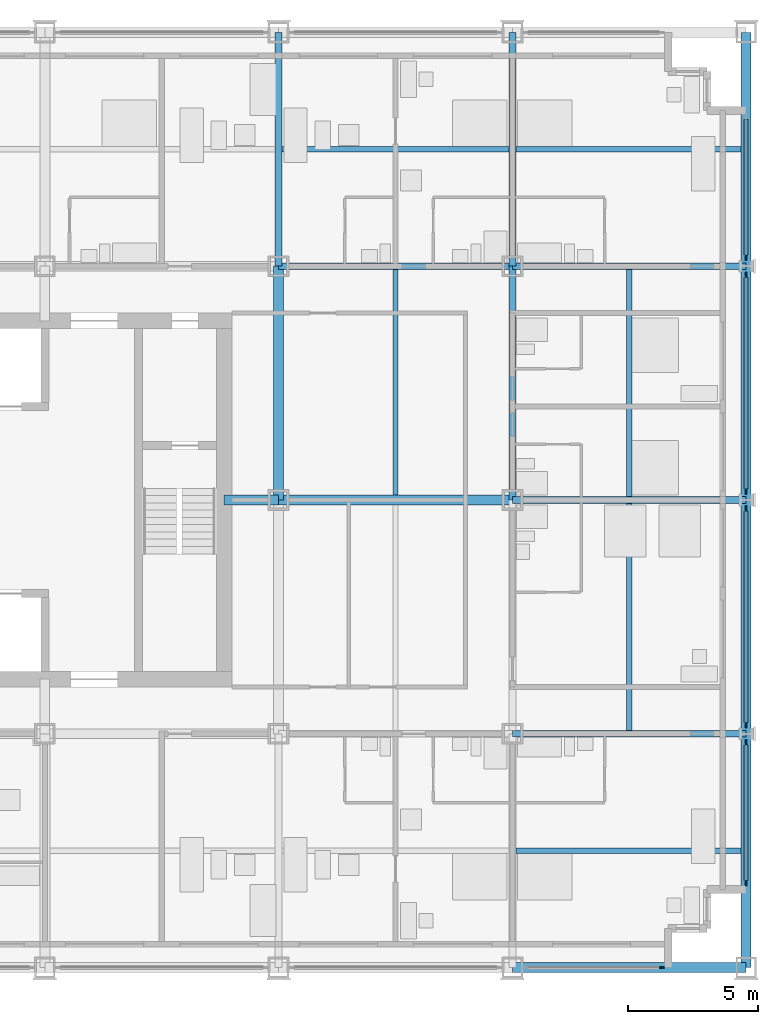
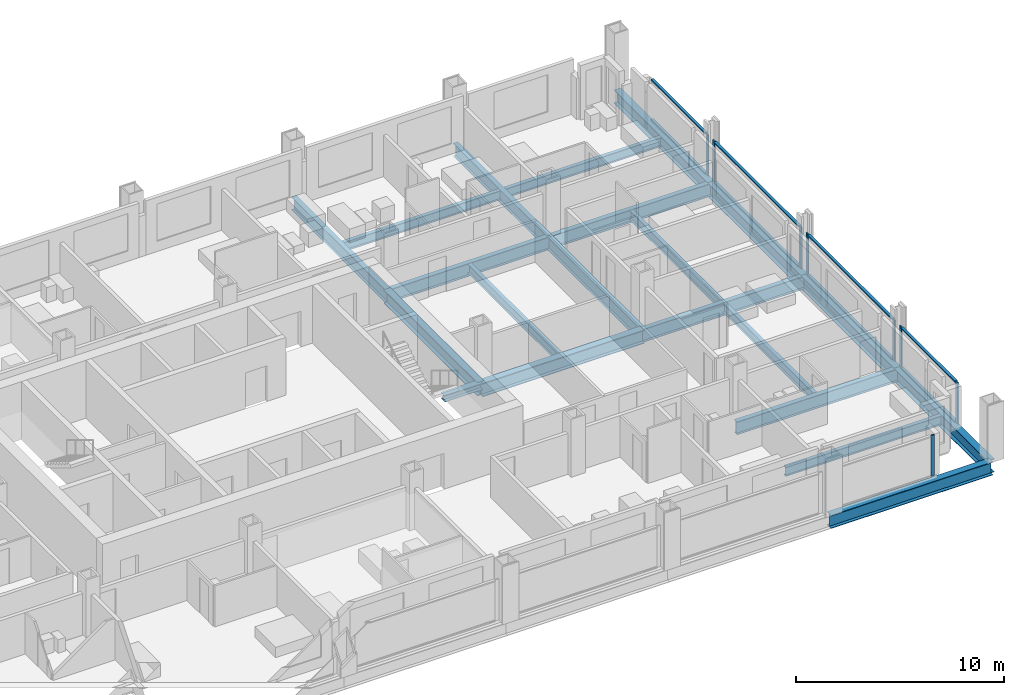
# One storey, part 6 of 18: 20 beams, 17 members, 5 elements without a shape of their own.
"""IFC4 building model written with IfcOpenShell, lengths in metres."""

from ifc_helpers import new_model, si_unit, direction, frame, origin, origin_2d, place, context, subcontext, project, spatial, rectangle, i_section, extrude, material, material_profile, profile_set, type_object, element, aggregate, save


model = new_model("IFC4")

# Units and contexts
model_context = context("Model", 3, precision=1e-05, world=origin(), true_north=direction((0.0, 1.0)))
body_context = subcontext(model_context, "Body", "Model", "MODEL_VIEW")
ifc_project = project(units=[si_unit("LENGTHUNIT", "METRE"), si_unit("AREAUNIT", "SQUARE_METRE"), si_unit("VOLUMEUNIT", "CUBIC_METRE"), si_unit("PLANEANGLEUNIT", "RADIAN"), si_unit("MASSUNIT", "GRAM", prefix="KILO")], contexts=[model_context])

# Site, building, storey
site_placement = place(None, origin())
site = spatial("IfcSite", under=ifc_project, at=site_placement, CompositionType="ELEMENT")
building_placement = place(site_placement, origin())
building = spatial("IfcBuilding", under=site, at=building_placement, Name="Loomwork Tower", CompositionType="ELEMENT")
storey_placement = place(building_placement, frame((0.0, 0.0, 72.199951171875)))
storey = spatial("IfcBuildingStorey", under=building, at=storey_placement, Name="L18", CompositionType="ELEMENT", Elevation=72.199951171875)

# Beams
ifc_material_1 = material(Name="Steel ASTM A992", Category="steel")
ifc_material_profile_1 = material_profile(ifc_material_1, i_section(OverallWidth=0.383544921875, OverallDepth=0.794921875, WebThickness=0.02099609375, FlangeThickness=0.0380859375, at=origin_2d()), Name="W30x235")
ifc_profile_set_1 = profile_set([ifc_material_profile_1], Name="Steel ASTM A992")
beam_type_1 = type_object("IfcBeamType", Name="CORE FLANK GIRDER W30x235", PredefinedType="BEAM", material=ifc_profile_set_1)
for number, where, z_axis, x_axis, name in (
    (1, (36.0, 18.0, -0.597412109375), (1.0, 0.0, 0.0), (0.0, 1.0, 0.0), "Core Flank Girder F/6-F/7 L18"),
    (2, (36.0, 18.0, -0.597412109375), (0.0, 1.0, 0.0), (-1.0, 0.0, 0.0), "Core Flank Girder F/6-G/6 L18"),
):
    element("IfcBeam", number, at=place(storey_placement, frame(where, z_axis=z_axis, x_axis=x_axis)), inside=storey, type_object=beam_type_1, Name=name, PredefinedType="BEAM", context=body_context, shape_type="SweptSolid", body=[
        extrude(i_section(OverallWidth=0.383544921875, OverallDepth=0.794921875, WebThickness=0.02099609375, FlangeThickness=0.0380859375, at=origin_2d()), origin(), (0.0, 0.0, 1.0), 9.0),
    ])

# Member
ifc_material_2 = material(Name="Steel ASTM A992", Category="steel")
ifc_material_profile_2 = material_profile(ifc_material_2, i_section(OverallWidth=0.373291015625, OverallDepth=0.373291015625, WebThickness=0.016357421875, FlangeThickness=0.026123046875, at=origin_2d()), Name="W14x132")
ifc_profile_set_2 = profile_set([ifc_material_profile_2], Name="Steel ASTM A992")
member_type_1 = type_object("IfcMemberType", Name="CORE LINK STRUT W14x132", PredefinedType="STRUT", material=ifc_profile_set_2)
member_1_placement = place(storey_placement, frame((36.0, 18.0, -0.38671875), z_axis=(-1.0, 0.0, 0.0), x_axis=(0.0, -1.0, 0.0)))
element("IfcMember", 3, at=member_1_placement, inside=storey, type_object=member_type_1, Name="Core link strut F/6-33.900,18.000 L18", PredefinedType="STRUT", context=body_context, shape_type="SweptSolid", body=[
    extrude(i_section(OverallWidth=0.373291015625, OverallDepth=0.373291015625, WebThickness=0.016357421875, FlangeThickness=0.026123046875, at=origin_2d()), origin(), (0.0, 0.0, 1.0), 2.10009765625),
])

# Beams
ifc_material_3 = material(Name="Steel ASTM A992", Category="steel")
ifc_material_profile_3 = material_profile(ifc_material_3, i_section(OverallWidth=0.2666015625, OverallDepth=0.761962890625, WebThickness=0.014404296875, FlangeThickness=0.021484375, at=origin_2d()), Name="W30x116")
ifc_profile_set_3 = profile_set([ifc_material_profile_3], Name="Steel ASTM A992")
beam_type_2 = type_object("IfcBeamType", Name="FLOOR GIRDER W30x116", PredefinedType="BEAM", material=ifc_profile_set_3)
for number, where, z_axis, x_axis, name in (
    (4, (45.0, 9.0, -0.5810546875), (1.0, 0.0, 0.0), (0.0, 1.0, 0.0), "Floor Girder E/7-E/8 L18"),
    (5, (45.0, 18.0, -0.5810546875), (1.0, 0.0, 0.0), (0.0, 1.0, 0.0), "Floor Girder F/7-F/8 L18"),
    (6, (36.0, 27.0, -0.5810546875), (1.0, 0.0, 0.0), (0.0, 1.0, 0.0), "Floor Girder G/6-G/7 L18"),
    (7, (45.0, 27.0, -0.5810546875), (1.0, 0.0, 0.0), (0.0, 1.0, 0.0), "Floor Girder G/7-G/8 L18"),
    (8, (36.0, 27.0, -0.5810546875), (0.0, 1.0, 0.0), (-1.0, 0.0, 0.0), "Floor Girder G/6-H/6 L18"),
    (9, (45.0, 18.0, -0.5810546875), (0.0, 1.0, 0.0), (-1.0, 0.0, 0.0), "Floor Girder F/7-G/7 L18"),
    (10, (45.0, 27.0, -0.5810546875), (0.0, 1.0, 0.0), (-1.0, 0.0, 0.0), "Floor Girder G/7-H/7 L18"),
):
    element("IfcBeam", number, at=place(storey_placement, frame(where, z_axis=z_axis, x_axis=x_axis)), inside=storey, type_object=beam_type_2, Name=name, PredefinedType="BEAM", context=body_context, shape_type="SweptSolid", body=[
        extrude(i_section(OverallWidth=0.2666015625, OverallDepth=0.761962890625, WebThickness=0.014404296875, FlangeThickness=0.021484375, at=origin_2d()), origin(), (0.0, 0.0, 1.0), 9.0),
    ])
ifc_material_4 = material(Name="Steel ASTM A992", Category="steel")
ifc_material_profile_4 = material_profile(ifc_material_4, i_section(OverallWidth=0.2109375, OverallDepth=0.53857421875, WebThickness=0.011474609375, FlangeThickness=0.018798828125, at=origin_2d()), Name="W21x73")
ifc_profile_set_4 = profile_set([ifc_material_profile_4], Name="Steel ASTM A992")
beam_type_3 = type_object("IfcBeamType", Name="FLOOR JOIST W21x73", PredefinedType="JOIST", material=ifc_profile_set_4)
beam_1_placement = place(storey_placement, frame((40.5, 18.19091796875, -0.46923828125), z_axis=(0.0, 1.0, 0.0), x_axis=(-1.0, 0.0, 0.0)))
element("IfcBeam", 11, at=beam_1_placement, inside=storey, type_object=beam_type_3, Name="Floor Joist 40.500,18.000-40.500,27.000 L18", PredefinedType="JOIST", context=body_context, shape_type="SweptSolid", body=[
    extrude(i_section(OverallWidth=0.2109375, OverallDepth=0.53857421875, WebThickness=0.011474609375, FlangeThickness=0.018798828125, at=origin_2d()), origin(), (0.0, 0.0, 1.0), 8.676025390625),
])
beam_2_placement = place(storey_placement, frame((36.133056640625, 31.5, -0.46923828125), z_axis=(1.0, 0.0, 0.0), x_axis=(0.0, 1.0, 0.0)))
element("IfcBeam", 12, at=beam_2_placement, inside=storey, type_object=beam_type_3, Name="Floor Joist 36.000,31.500-45.000,31.500 L18", PredefinedType="JOIST", context=body_context, shape_type="SweptSolid", body=[
    extrude(i_section(OverallWidth=0.2109375, OverallDepth=0.53857421875, WebThickness=0.011474609375, FlangeThickness=0.018798828125, at=origin_2d()), origin(), (0.0, 0.0, 1.0), 8.73388671875),
])
beam_3_placement = place(storey_placement, frame((45.133056640625, 4.5, -0.46923828125), z_axis=(1.0, 0.0, 0.0), x_axis=(0.0, 1.0, 0.0)))
element("IfcBeam", 13, at=beam_3_placement, inside=storey, type_object=beam_type_3, Name="Floor Joist 45.000,4.500-54.000,4.500 L18", PredefinedType="JOIST", context=body_context, shape_type="SweptSolid", body=[
    extrude(i_section(OverallWidth=0.2109375, OverallDepth=0.53857421875, WebThickness=0.011474609375, FlangeThickness=0.018798828125, at=origin_2d()), origin(), (0.0, 0.0, 1.0), 8.677001953125),
])
for number, where, z_axis, x_axis, name in (
    (14, (49.5, 9.133056640625, -0.46923828125), (0.0, 1.0, 0.0), (-1.0, 0.0, 0.0), "Floor Joist 49.500,9.000-49.500,18.000 L18"),
    (15, (49.5, 18.133056640625, -0.46923828125), (0.0, 1.0, 0.0), (-1.0, 0.0, 0.0), "Floor Joist 49.500,18.000-49.500,27.000 L18"),
):
    element("IfcBeam", number, at=place(storey_placement, frame(where, z_axis=z_axis, x_axis=x_axis)), inside=storey, type_object=beam_type_3, Name=name, PredefinedType="JOIST", context=body_context, shape_type="SweptSolid", body=[
        extrude(i_section(OverallWidth=0.2109375, OverallDepth=0.53857421875, WebThickness=0.011474609375, FlangeThickness=0.018798828125, at=origin_2d()), origin(), (0.0, 0.0, 1.0), 8.73388671875),
    ])
beam_4_placement = place(storey_placement, frame((45.133056640625, 31.5, -0.46923828125), z_axis=(1.0, 0.0, 0.0), x_axis=(0.0, 1.0, 0.0)))
element("IfcBeam", 16, at=beam_4_placement, inside=storey, type_object=beam_type_3, Name="Floor Joist 45.000,31.500-54.000,31.500 L18", PredefinedType="JOIST", context=body_context, shape_type="SweptSolid", body=[
    extrude(i_section(OverallWidth=0.2109375, OverallDepth=0.53857421875, WebThickness=0.011474609375, FlangeThickness=0.018798828125, at=origin_2d()), origin(), (0.0, 0.0, 1.0), 8.677001953125),
])

# Curtain wall, member
ifc_material_5 = material(Name="Aluminium curtain wall frame", Category="aluminium")
curtain_wall_type = type_object("IfcCurtainWallType", Name="Outer skin glazing hotel", PredefinedType="NOTDEFINED", material=ifc_material_5)
curtain_wall_1_placement = place(storey_placement, origin())
curtain_wall_1 = element("IfcCurtainWall", 17, at=curtain_wall_1_placement, inside=storey, type_object=curtain_wall_type, Name="Outer skin glazing hotel cw/S-45", PredefinedType="NOTDEFINED")
ifc_material_6 = material(Name="Aluminium curtain wall frame", Category="aluminium")
ifc_material_profile_5 = material_profile(ifc_material_6, rectangle(XDim=0.06494140625, YDim=0.199951171875, at=origin_2d()), Name="AL 65x200")
ifc_profile_set_5 = profile_set([ifc_material_profile_5], Name="Aluminium curtain wall frame")
member_type_2 = type_object("IfcMemberType", Name="Outer skin glazing hotel mullion", PredefinedType="MULLION", material=ifc_profile_set_5)
member_2_placement = place(storey_placement, frame((50.75, 0.0, 0.0), z_axis=(0.0, 0.0, 1.0), x_axis=(0.0, 1.0, 0.0)))
member_2 = element("IfcMember", 18, at=member_2_placement, type_object=member_type_2, Name="CW1 mullion 2", PredefinedType="MULLION", context=body_context, shape_type="SweptSolid", body=[
    extrude(rectangle(XDim=0.06494140625, YDim=0.199951171875, at=origin_2d()), origin(), (0.0, 0.0, 1.0), 2.420166015625),
])
aggregate(curtain_wall_1, [member_2])

# Curtain wall, members
curtain_wall_2_placement = place(storey_placement, origin())
curtain_wall_2 = element("IfcCurtainWall", 19, at=curtain_wall_2_placement, inside=storey, type_object=curtain_wall_type, Name="Outer skin glazing hotel cw/E-0", PredefinedType="NOTDEFINED")
member_3_placement = place(storey_placement, frame((54.0, 3.25, 0.0), z_axis=(0.0, 0.0, 1.0), x_axis=(-1.0, 0.0, 0.0)))
member_3 = element("IfcMember", 20, at=member_3_placement, type_object=member_type_2, Name="CW1 mullion 1", PredefinedType="MULLION", context=body_context, shape_type="SweptSolid", body=[
    extrude(rectangle(XDim=0.06494140625, YDim=0.199951171875, at=origin_2d()), origin(), (0.0, 0.0, 1.0), 2.420166015625),
])
member_4_placement = place(storey_placement, frame((54.0, 8.672607421875, 0.0), z_axis=(0.0, 0.0, 1.0), x_axis=(-1.0, 0.0, 0.0)))
member_4 = element("IfcMember", 21, at=member_4_placement, type_object=member_type_2, Name="CW1 mullion 2", PredefinedType="MULLION", context=body_context, shape_type="SweptSolid", body=[
    extrude(rectangle(XDim=0.06494140625, YDim=0.199951171875, at=origin_2d()), origin(), (0.0, 0.0, 1.0), 2.420166015625),
])

curtain_wall_3_placement = place(storey_placement, origin())
curtain_wall_3 = element("IfcCurtainWall", 22, at=curtain_wall_3_placement, inside=storey, type_object=curtain_wall_type, Name="Outer skin glazing hotel cw/E-9", PredefinedType="NOTDEFINED")
member_5_placement = place(storey_placement, frame((54.0, 9.327392578125, 0.0), z_axis=(0.0, 0.0, 1.0), x_axis=(-1.0, 0.0, 0.0)))
member_5 = element("IfcMember", 23, at=member_5_placement, type_object=member_type_2, Name="CW1 mullion 1", PredefinedType="MULLION", context=body_context, shape_type="SweptSolid", body=[
    extrude(rectangle(XDim=0.06494140625, YDim=0.199951171875, at=origin_2d()), origin(), (0.0, 0.0, 1.0), 2.420166015625),
])
member_6_placement = place(storey_placement, frame((54.0, 17.672607421875, 0.0), z_axis=(0.0, 0.0, 1.0), x_axis=(-1.0, 0.0, 0.0)))
member_6 = element("IfcMember", 24, at=member_6_placement, type_object=member_type_2, Name="CW1 mullion 2", PredefinedType="MULLION", context=body_context, shape_type="SweptSolid", body=[
    extrude(rectangle(XDim=0.06494140625, YDim=0.199951171875, at=origin_2d()), origin(), (0.0, 0.0, 1.0), 2.420166015625),
])

curtain_wall_4_placement = place(storey_placement, origin())
curtain_wall_4 = element("IfcCurtainWall", 25, at=curtain_wall_4_placement, inside=storey, type_object=curtain_wall_type, Name="Outer skin glazing hotel cw/E-18", PredefinedType="NOTDEFINED")
member_7_placement = place(storey_placement, frame((54.0, 18.327392578125, 0.0), z_axis=(0.0, 0.0, 1.0), x_axis=(-1.0, 0.0, 0.0)))
member_7 = element("IfcMember", 26, at=member_7_placement, type_object=member_type_2, Name="CW1 mullion 1", PredefinedType="MULLION", context=body_context, shape_type="SweptSolid", body=[
    extrude(rectangle(XDim=0.06494140625, YDim=0.199951171875, at=origin_2d()), origin(), (0.0, 0.0, 1.0), 2.420166015625),
])
member_8_placement = place(storey_placement, frame((54.0, 26.672607421875, 0.0), z_axis=(0.0, 0.0, 1.0), x_axis=(-1.0, 0.0, 0.0)))
member_8 = element("IfcMember", 27, at=member_8_placement, type_object=member_type_2, Name="CW1 mullion 2", PredefinedType="MULLION", context=body_context, shape_type="SweptSolid", body=[
    extrude(rectangle(XDim=0.06494140625, YDim=0.199951171875, at=origin_2d()), origin(), (0.0, 0.0, 1.0), 2.420166015625),
])

# Curtain wall, member
curtain_wall_5_placement = place(storey_placement, origin())
curtain_wall_5 = element("IfcCurtainWall", 28, at=curtain_wall_5_placement, inside=storey, type_object=curtain_wall_type, Name="Outer skin glazing hotel cw/E-27", PredefinedType="NOTDEFINED")
member_9_placement = place(storey_placement, frame((54.0, 27.327392578125, 0.0), z_axis=(0.0, 0.0, 1.0), x_axis=(-1.0, 0.0, 0.0)))
member_9 = element("IfcMember", 29, at=member_9_placement, type_object=member_type_2, Name="CW1 mullion 1", PredefinedType="MULLION", context=body_context, shape_type="SweptSolid", body=[
    extrude(rectangle(XDim=0.06494140625, YDim=0.199951171875, at=origin_2d()), origin(), (0.0, 0.0, 1.0), 2.420166015625),
])

# Member
ifc_material_7 = material(Name="Aluminium curtain wall frame", Category="aluminium")
ifc_material_profile_6 = material_profile(ifc_material_7, rectangle(XDim=0.14990234375, YDim=0.06494140625, at=origin_2d()), Name="AL 65x150")
ifc_profile_set_6 = profile_set([ifc_material_profile_6], Name="Aluminium curtain wall frame")
member_type_3 = type_object("IfcMemberType", Name="Outer skin glazing hotel transom", PredefinedType="USERDEFINED", material=ifc_profile_set_6)
member_10_placement = place(storey_placement, frame((54.0, 3.35009765625, 0.032470703125), z_axis=(0.0, 1.0, 0.0), x_axis=(-1.0, 0.0, 0.0)))
member_10 = element("IfcMember", 30, at=member_10_placement, type_object=member_type_3, Name="CW1 transom 1.1", ObjectType="TRANSOM", PredefinedType="USERDEFINED", context=body_context, shape_type="SweptSolid", body=[
    extrude(rectangle(XDim=0.14990234375, YDim=0.06494140625, at=origin_2d()), origin(), (0.0, 0.0, 1.0), 5.22265625),
])

member_11_placement = place(storey_placement, frame((54.0, 3.35009765625, 2.3876953125), z_axis=(0.0, 1.0, 0.0), x_axis=(-1.0, 0.0, 0.0)))
member_11 = element("IfcMember", 31, at=member_11_placement, type_object=member_type_3, Name="CW1 transom 1.2", ObjectType="TRANSOM", PredefinedType="USERDEFINED", context=body_context, shape_type="SweptSolid", body=[
    extrude(rectangle(XDim=0.14990234375, YDim=0.06494140625, at=origin_2d()), origin(), (0.0, 0.0, 1.0), 5.22265625),
])

aggregate(curtain_wall_2, [member_3, member_4, member_10, member_11])

member_12_placement = place(storey_placement, frame((54.0, 9.42724609375, 0.032470703125), z_axis=(0.0, 1.0, 0.0), x_axis=(-1.0, 0.0, 0.0)))
member_12 = element("IfcMember", 32, at=member_12_placement, type_object=member_type_3, Name="CW1 transom 1.1", ObjectType="TRANSOM", PredefinedType="USERDEFINED", context=body_context, shape_type="SweptSolid", body=[
    extrude(rectangle(XDim=0.14990234375, YDim=0.06494140625, at=origin_2d()), origin(), (0.0, 0.0, 1.0), 8.1455078125),
])

member_13_placement = place(storey_placement, frame((54.0, 9.42724609375, 2.3876953125), z_axis=(0.0, 1.0, 0.0), x_axis=(-1.0, 0.0, 0.0)))
member_13 = element("IfcMember", 33, at=member_13_placement, type_object=member_type_3, Name="CW1 transom 1.2", ObjectType="TRANSOM", PredefinedType="USERDEFINED", context=body_context, shape_type="SweptSolid", body=[
    extrude(rectangle(XDim=0.14990234375, YDim=0.06494140625, at=origin_2d()), origin(), (0.0, 0.0, 1.0), 8.1455078125),
])

aggregate(curtain_wall_3, [member_5, member_6, member_12, member_13])

member_14_placement = place(storey_placement, frame((54.0, 18.42724609375, 0.032470703125), z_axis=(0.0, 1.0, 0.0), x_axis=(-1.0, 0.0, 0.0)))
member_14 = element("IfcMember", 34, at=member_14_placement, type_object=member_type_3, Name="CW1 transom 1.1", ObjectType="TRANSOM", PredefinedType="USERDEFINED", context=body_context, shape_type="SweptSolid", body=[
    extrude(rectangle(XDim=0.14990234375, YDim=0.06494140625, at=origin_2d()), origin(), (0.0, 0.0, 1.0), 8.1455078125),
])

member_15_placement = place(storey_placement, frame((54.0, 18.42724609375, 2.3876953125), z_axis=(0.0, 1.0, 0.0), x_axis=(-1.0, 0.0, 0.0)))
member_15 = element("IfcMember", 35, at=member_15_placement, type_object=member_type_3, Name="CW1 transom 1.2", ObjectType="TRANSOM", PredefinedType="USERDEFINED", context=body_context, shape_type="SweptSolid", body=[
    extrude(rectangle(XDim=0.14990234375, YDim=0.06494140625, at=origin_2d()), origin(), (0.0, 0.0, 1.0), 8.1455078125),
])

aggregate(curtain_wall_4, [member_7, member_8, member_14, member_15])

member_16_placement = place(storey_placement, frame((54.0, 27.42724609375, 0.032470703125), z_axis=(0.0, 1.0, 0.0), x_axis=(-1.0, 0.0, 0.0)))
member_16 = element("IfcMember", 36, at=member_16_placement, type_object=member_type_3, Name="CW1 transom 1.1", ObjectType="TRANSOM", PredefinedType="USERDEFINED", context=body_context, shape_type="SweptSolid", body=[
    extrude(rectangle(XDim=0.14990234375, YDim=0.06494140625, at=origin_2d()), origin(), (0.0, 0.0, 1.0), 5.22265625),
])

member_17_placement = place(storey_placement, frame((54.0, 27.42724609375, 2.3876953125), z_axis=(0.0, 1.0, 0.0), x_axis=(-1.0, 0.0, 0.0)))
member_17 = element("IfcMember", 37, at=member_17_placement, type_object=member_type_3, Name="CW1 transom 1.2", ObjectType="TRANSOM", PredefinedType="USERDEFINED", context=body_context, shape_type="SweptSolid", body=[
    extrude(rectangle(XDim=0.14990234375, YDim=0.06494140625, at=origin_2d()), origin(), (0.0, 0.0, 1.0), 5.22265625),
])

aggregate(curtain_wall_5, [member_9, member_16, member_17])

# Beams
ifc_material_8 = material(Name="Steel ASTM A992", Category="steel")
ifc_material_profile_7 = material_profile(ifc_material_8, i_section(OverallWidth=0.381103515625, OverallDepth=0.77978515625, WebThickness=0.01806640625, FlangeThickness=0.0302734375, at=origin_2d()), Name="W30x191")
ifc_profile_set_7 = profile_set([ifc_material_profile_7], Name="Steel ASTM A992")
beam_type_4 = type_object("IfcBeamType", Name="SPANDREL GIRDER W30x191", PredefinedType="SPANDREL", material=ifc_profile_set_7)
for number, where, z_axis, x_axis, name in (
    (38, (45.0, 0.0, -0.58984375), (1.0, 0.0, 0.0), (0.0, 1.0, 0.0), "Spandrel Girder D/7-D/8 L18"),
    (39, (54.0, 0.0, -0.58984375), (0.0, 1.0, 0.0), (-1.0, 0.0, 0.0), "Spandrel Girder D/8-E/8 L18"),
    (40, (54.0, 9.0, -0.58984375), (0.0, 1.0, 0.0), (-1.0, 0.0, 0.0), "Spandrel Girder E/8-F/8 L18"),
    (41, (54.0, 18.0, -0.58984375), (0.0, 1.0, 0.0), (-1.0, 0.0, 0.0), "Spandrel Girder F/8-G/8 L18"),
    (42, (54.0, 27.0, -0.58984375), (0.0, 1.0, 0.0), (-1.0, 0.0, 0.0), "Spandrel Girder G/8-H/8 L18"),
):
    element("IfcBeam", number, at=place(storey_placement, frame(where, z_axis=z_axis, x_axis=x_axis)), inside=storey, type_object=beam_type_4, Name=name, PredefinedType="SPANDREL", context=body_context, shape_type="SweptSolid", body=[
        extrude(i_section(OverallWidth=0.381103515625, OverallDepth=0.77978515625, WebThickness=0.01806640625, FlangeThickness=0.0302734375, at=origin_2d()), origin(), (0.0, 0.0, 1.0), 9.0),
    ])

save(model, "model.ifc")
